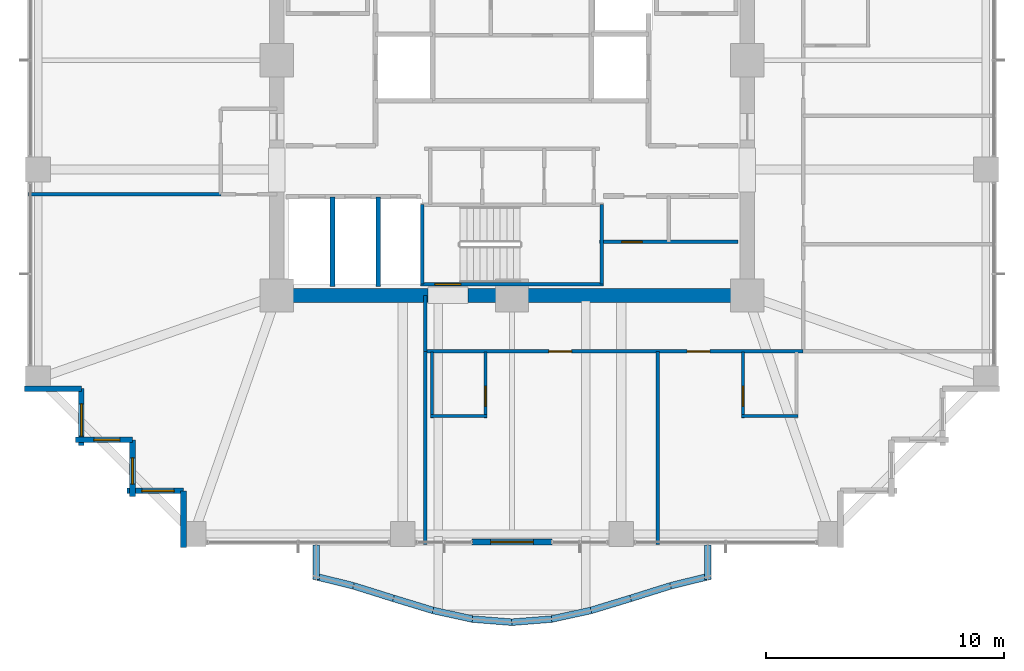
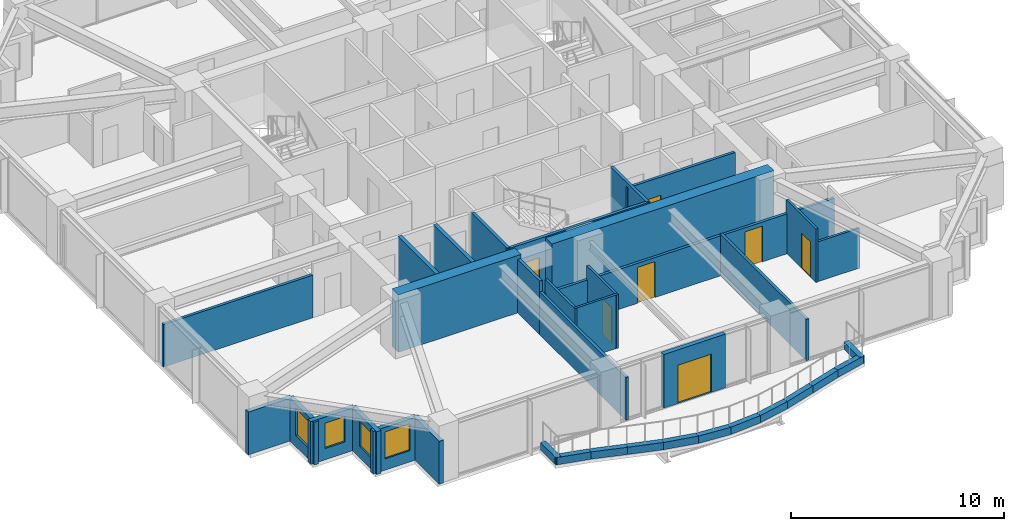
# One storey, part 32 of 38: 37 walls, 7 doors, 4 windows, 11 openings.
"""IFC4 building model written with IfcOpenShell, lengths in metres."""

from ifc_helpers import new_model, si_unit, direction, frame, frame_2d, origin, place, context, subcontext, project, spatial, rectangle, extrude, material, layer, layer_set, type_object, element, fill, save


model = new_model("IFC4")

# Units and contexts
model_context = context("Model", 3, precision=1e-05, world=origin(), true_north=direction((0.0, 1.0)))
body_context = subcontext(model_context, "Body", "Model", "MODEL_VIEW")
ifc_project = project(units=[si_unit("LENGTHUNIT", "METRE"), si_unit("AREAUNIT", "SQUARE_METRE"), si_unit("VOLUMEUNIT", "CUBIC_METRE"), si_unit("PLANEANGLEUNIT", "RADIAN"), si_unit("MASSUNIT", "GRAM", prefix="KILO")], contexts=[model_context])

# Site, building, storey
site_placement = place(None, origin())
site = spatial("IfcSite", under=ifc_project, at=site_placement, CompositionType="ELEMENT")
building_placement = place(site_placement, origin())
building = spatial("IfcBuilding", under=site, at=building_placement, Name="Kolvaren Belvedere", CompositionType="ELEMENT")
storey_placement = place(building_placement, frame((0.0, 0.0, 98.60009765625)))
storey = spatial("IfcBuildingStorey", under=building, at=storey_placement, Name="L28", CompositionType="ELEMENT", Elevation=98.60009765625)

# Walls
ifc_material_1 = material(Name="Concrete C60/75", Category="concrete")
ifc_layer_1 = layer(ifc_material_1, 0.60009765625)
ifc_layer_set_1 = layer_set([ifc_layer_1], Name="Concrete C60/75")
wall_type_1 = type_object("IfcWallType", Name="CW-CORE-600", PredefinedType="SHEAR", material=ifc_layer_set_1)
wall_1_placement = place(storey_placement, frame((10.199951171875, -9.89990234375, 0.0), z_axis=(0.0, 0.0, 1.0), x_axis=(-1.0, 0.0, 0.0)))
element("IfcWall", 1, at=wall_1_placement, inside=storey, type_object=wall_type_1, Name="L28 South Core Shear Wall 1", PredefinedType="SHEAR", context=body_context, shape_type="SweptSolid", body=[
    extrude(rectangle(XDim=12.06005859375, YDim=0.60009765625, at=frame_2d((6.030029296875, 0.0))), origin(), (0.0, 0.0, 1.0), 3.2998046875),
])
wall_2_placement = place(storey_placement, frame((-3.5400390625, -9.89990234375, 0.0), z_axis=(0.0, 0.0, 1.0), x_axis=(-1.0, 0.0, 0.0)))
element("IfcWall", 2, at=wall_2_placement, inside=storey, type_object=wall_type_1, Name="L28 South Core Shear Wall 2", PredefinedType="SHEAR", context=body_context, shape_type="SweptSolid", body=[
    extrude(rectangle(XDim=6.659912109375, YDim=0.60009765625, at=frame_2d((3.330078125, 0.0))), origin(), (0.0, 0.0, 1.0), 3.2998046875),
])

# Wall, opening, door
ifc_material_2 = material(Name="Concrete C50/60", Category="concrete")
ifc_layer_2 = layer(ifc_material_2, 0.159912109375)
ifc_layer_set_2 = layer_set([ifc_layer_2], Name="Concrete C50/60")
wall_type_2 = type_object("IfcWallType", Name="CW-STAIR-160", PredefinedType="SHEAR", material=ifc_layer_set_2)
wall_3_placement = place(storey_placement, frame((3.860107421875, -9.429931640625, 0.0), z_axis=(0.0, 0.0, 1.0), x_axis=(-1.0, 0.0, 0.0)))
wall_3 = element("IfcWall", 3, at=wall_3_placement, inside=storey, type_object=wall_type_2, Name="L28 Stair ST-3 South Shear Wall", PredefinedType="SHEAR", context=body_context, shape_type="SweptSolid", body=[
    extrude(rectangle(XDim=7.72021484375, YDim=0.159912109375, at=frame_2d((3.860107421875, 0.0))), origin(), (0.0, 0.0, 1.0), 3.2998046875),
])
opening_1_placement = place(wall_3_placement, frame((6.010009765625, 0.0, 0.0)))
opening_1 = element("IfcOpeningElement", 4, at=opening_1_placement, cuts=wall_3, Name="Opening D-FD90", PredefinedType="OPENING", context=body_context, shape_type="SweptSolid", body=[
    extrude(rectangle(XDim=1.10009765625, YDim=2.199951171875, at=frame_2d((0.550048828125, 1.10009765625))), frame((0.0, 0.08984375, 0.0), z_axis=(0.0, -1.0, 0.0), x_axis=(1.0, 0.0, 0.0)), (0.0, 0.0, 1.0), 0.179931640625),
])
ifc_material_3 = material(Name="Painted hollow stainless steel", Category="steel")
door_type_1 = type_object("IfcDoorType", Name="DR-FD90-1100", OperationType="NOTDEFINED", PredefinedType="DOOR", material=ifc_material_3)
door_1_placement = place(opening_1_placement, origin())
door_1 = element("IfcDoor", 5, at=door_1_placement, inside=storey, type_object=door_type_1, Name="L28 Stair ST-3 Exit Door", OperationType="SINGLE_SWING_RIGHT", OverallHeight=2.199951171875, OverallWidth=1.10009765625, PredefinedType="DOOR", context=body_context, shape_type="SweptSolid", body=[
    extrude(rectangle(XDim=1.10009765625, YDim=2.199951171875, at=frame_2d((0.550048828125, 1.10009765625))), frame((0.0, 0.02490234375, 0.0), z_axis=(0.0, -1.0, 0.0), x_axis=(1.0, 0.0, 0.0)), (0.0, 0.0, 1.0), 0.050048828125),
])
fill(opening_1, door_1)

# Walls
for number, where, z_axis, x_axis, name in (
    (6, (-3.780029296875, -9.429931640625, 0.0), (0.0, 0.0, 1.0), (0.0, 1.0, 0.0), "L28 Stair ST-3 West Shear Wall"),
    (7, (3.780029296875, -9.429931640625, 0.0), (0.0, 0.0, 1.0), (0.0, 1.0, 0.0), "L28 Stair ST-3 East Shear Wall"),
):
    element("IfcWall", number, at=place(storey_placement, frame(where, z_axis=z_axis, x_axis=x_axis)), inside=storey, type_object=wall_type_2, Name=name, PredefinedType="SHEAR", context=body_context, shape_type="SweptSolid", body=[
        extrude(rectangle(XDim=3.349853515625, YDim=0.159912109375, at=frame_2d((1.6748046875, 0.0))), origin(), (0.0, 0.0, 1.0), 3.2998046875),
    ])

# Wall, openings, doors
ifc_material_4 = material(Name="Gypsum fire-rated partition assembly", Category="gypsum")
ifc_layer_3 = layer(ifc_material_4, 0.14990234375)
ifc_layer_set_3 = layer_set([ifc_layer_3], Name="Gypsum fire-rated partition assembly")
wall_type_3 = type_object("IfcWallType", Name="WL-CORR-150", PredefinedType="PARTITIONING", material=ifc_layer_set_3)
wall_4_placement = place(storey_placement, frame((-3.64990234375, -12.260009765625, 0.0), z_axis=(0.0, 0.0, 1.0), x_axis=(1.0, 0.0, 0.0)))
wall_4 = element("IfcWall", 8, at=wall_4_placement, inside=storey, type_object=wall_type_3, Name="L28 South-East Corridor Wall", PredefinedType="PARTITIONING", context=body_context, shape_type="SweptSolid", body=[
    extrude(rectangle(XDim=15.909912109375, YDim=0.14990234375, at=frame_2d((7.955078125, 0.0))), origin(), (0.0, 0.0, 1.0), 2.2919921875),
])
opening_2_placement = place(wall_4_placement, frame((5.205078125, 0.0, 0.0)))
opening_2 = element("IfcOpeningElement", 9, at=opening_2_placement, cuts=wall_4, Name="Opening D-FD60", PredefinedType="OPENING", context=body_context, shape_type="SweptSolid", body=[
    extrude(rectangle(XDim=0.949951171875, YDim=2.06005859375, at=frame_2d((0.47509765625, 1.030029296875))), frame((0.0, 0.0849609375, 0.0), z_axis=(0.0, -1.0, 0.0), x_axis=(1.0, 0.0, 0.0)), (0.0, 0.0, 1.0), 0.169921875),
])
opening_3_placement = place(wall_4_placement, frame((11.02587890625, 0.0, 0.0)))
opening_3 = element("IfcOpeningElement", 10, at=opening_3_placement, cuts=wall_4, Name="Opening D-FD60", PredefinedType="OPENING", context=body_context, shape_type="SweptSolid", body=[
    extrude(rectangle(XDim=0.949951171875, YDim=2.06005859375, at=frame_2d((0.47509765625, 1.030029296875))), frame((0.0, 0.0849609375, 0.0), z_axis=(0.0, -1.0, 0.0), x_axis=(1.0, 0.0, 0.0)), (0.0, 0.0, 1.0), 0.169921875),
])
ifc_material_5 = material(Name="Acoustic white-oak fire door leaf", Category="timber")
door_type_2 = type_object("IfcDoorType", Name="DR-FD60-950", OperationType="NOTDEFINED", PredefinedType="DOOR", material=ifc_material_5)
door_2_placement = place(opening_2_placement, origin())
door_2 = element("IfcDoor", 11, at=door_2_placement, inside=storey, type_object=door_type_2, Name="L28 Botanical Hospitality Suite 2812 Entry Door", OperationType="SINGLE_SWING_LEFT", OverallHeight=2.06005859375, OverallWidth=0.949951171875, PredefinedType="DOOR", context=body_context, shape_type="SweptSolid", body=[
    extrude(rectangle(XDim=0.949951171875, YDim=2.06005859375, at=frame_2d((0.47509765625, 1.030029296875))), frame((0.0, 0.02490234375, 0.0), z_axis=(0.0, -1.0, 0.0), x_axis=(1.0, 0.0, 0.0)), (0.0, 0.0, 1.0), 0.050048828125),
])
fill(opening_2, door_2)
door_3_placement = place(opening_3_placement, origin())
door_3 = element("IfcDoor", 12, at=door_3_placement, inside=storey, type_object=door_type_2, Name="L28 King Guest Room 2813 Entry Door", OperationType="SINGLE_SWING_LEFT", OverallHeight=2.06005859375, OverallWidth=0.949951171875, PredefinedType="DOOR", context=body_context, shape_type="SweptSolid", body=[
    extrude(rectangle(XDim=0.949951171875, YDim=2.06005859375, at=frame_2d((0.47509765625, 1.030029296875))), frame((0.0, 0.02490234375, 0.0), z_axis=(0.0, -1.0, 0.0), x_axis=(1.0, 0.0, 0.0)), (0.0, 0.0, 1.0), 0.050048828125),
])
fill(opening_3, door_3)

# Wall
wall_5_placement = place(storey_placement, frame((-3.64990234375, -12.260009765625, 0.0), z_axis=(0.0, 0.0, 1.0), x_axis=(0.0, 1.0, 0.0)))
element("IfcWall", 13, at=wall_5_placement, inside=storey, type_object=wall_type_3, Name="L28 South Spur West Closure Wall", PredefinedType="PARTITIONING", context=body_context, shape_type="SweptSolid", body=[
    extrude(rectangle(XDim=2.360107421875, YDim=0.14990234375, at=frame_2d((1.18017578125, 0.0))), origin(), (0.0, 0.0, 1.0), 3.079833984375),
])

# Wall, opening, door
ifc_material_6 = material(Name="Insulated pale-metal facade wall assembly", Category="aluminium")
ifc_layer_4 = layer(ifc_material_6, 0.239990234375)
ifc_layer_set_4 = layer_set([ifc_layer_4], Name="Insulated pale-metal facade wall assembly")
wall_type_4 = type_object("IfcWallType", Name="WL-EXT-240", PredefinedType="STANDARD", material=ifc_layer_set_4)
wall_6_placement = place(storey_placement, frame((1.679931640625, -20.280029296875, 0.0), z_axis=(0.0, 0.0, 1.0), x_axis=(-1.0, 0.0, 0.0)))
wall_6 = element("IfcWall", 14, at=wall_6_placement, inside=storey, type_object=wall_type_4, Name="L28 South Terrace Portal Wall", PredefinedType="STANDARD", context=body_context, shape_type="SweptSolid", body=[
    extrude(rectangle(XDim=3.35986328125, YDim=0.239990234375, at=frame_2d((1.679931640625, 0.0))), origin(), (0.0, 0.0, 1.0), 3.079833984375),
])
opening_4_placement = place(wall_6_placement, frame((0.780029296875, 0.0, 0.0)))
opening_4 = element("IfcOpeningElement", 15, at=opening_4_placement, cuts=wall_6, Name="Opening DB-1800", PredefinedType="OPENING", context=body_context, shape_type="SweptSolid", body=[
    extrude(rectangle(XDim=1.800048828125, YDim=2.199951171875, at=frame_2d((0.89990234375, 1.10009765625))), frame((0.0, 0.1298828125, 0.0), z_axis=(0.0, -1.0, 0.0), x_axis=(1.0, 0.0, 0.0)), (0.0, 0.0, 1.0), 0.260009765625),
])
ifc_material_7 = material(Name="Thermally broken pale-metal aluminium & low-iron glass", Category="aluminium")
door_type_3 = type_object("IfcDoorType", Name="DR-BAL-1800", OperationType="DOUBLE_DOOR_SLIDING", PredefinedType="DOOR", material=ifc_material_7)
door_4_placement = place(opening_4_placement, origin())
door_4 = element("IfcDoor", 16, at=door_4_placement, inside=storey, type_object=door_type_3, Name="L28 South Planted Terrace Sliding Door", OperationType="DOUBLE_DOOR_SLIDING", OverallHeight=2.199951171875, OverallWidth=1.800048828125, PredefinedType="DOOR", context=body_context, shape_type="SweptSolid", body=[
    extrude(rectangle(XDim=1.800048828125, YDim=2.199951171875, at=frame_2d((0.89990234375, 1.10009765625))), frame((0.0, 0.02490234375, 0.0), z_axis=(0.0, -1.0, 0.0), x_axis=(1.0, 0.0, 0.0)), (0.0, 0.0, 1.0), 0.050048828125),
])
fill(opening_4, door_4)

# Wall
wall_7_placement = place(storey_placement, frame((-18.1298828125, -13.830078125, 0.0), z_axis=(0.0, 0.0, 1.0), x_axis=(-1.0, 0.0, 0.0)))
element("IfcWall", 17, at=wall_7_placement, inside=storey, type_object=wall_type_4, Name="L28 Serrated Corner Facade Wall 23", PredefinedType="STANDARD", context=body_context, shape_type="SweptSolid", body=[
    extrude(rectangle(XDim=2.39013671875, YDim=0.239990234375, at=frame_2d((1.195068359375, 0.0))), origin(), (0.0, 0.0, 1.0), 2.458984375),
])

# Wall, opening, window
wall_8_placement = place(storey_placement, frame((-18.1298828125, -16.219970703125, 0.0), z_axis=(0.0, 0.0, 1.0), x_axis=(0.0, 1.0, 0.0)))
wall_8 = element("IfcWall", 18, at=wall_8_placement, inside=storey, type_object=wall_type_4, Name="L28 Serrated Corner Facade Wall 24", PredefinedType="STANDARD", context=body_context, shape_type="SweptSolid", body=[
    extrude(rectangle(XDim=2.389892578125, YDim=0.239990234375, at=frame_2d((1.19482421875, 0.0))), origin(), (0.0, 0.0, 1.0), 2.458984375),
])
opening_5_placement = place(wall_8_placement, frame((0.39990234375, 0.0, 0.64990234375)))
opening_5 = element("IfcOpeningElement", 19, at=opening_5_placement, cuts=wall_8, Name="Opening W-1350", PredefinedType="OPENING", context=body_context, shape_type="SweptSolid", body=[
    extrude(rectangle(XDim=1.35009765625, YDim=1.550048828125, at=frame_2d((0.675048828125, 0.77490234375))), frame((0.0, 0.1298828125, 0.0), z_axis=(0.0, -1.0, 0.0), x_axis=(1.0, 0.0, 0.0)), (0.0, 0.0, 1.0), 0.260009765625),
])
ifc_material_8 = material(Name="Low-iron triple insulated glass", Category="glass")
window_type_1 = type_object("IfcWindowType", Name="WN-CORN-1350", PartitioningType="SINGLE_PANEL", PredefinedType="WINDOW", material=ifc_material_8)
window_1_placement = place(opening_5_placement, origin())
window_1 = element("IfcWindow", 20, at=window_1_placement, inside=storey, type_object=window_type_1, Name="L28 Serrated Corner Vision Window 24", OverallHeight=1.550048828125, OverallWidth=1.35009765625, PartitioningType="SINGLE_PANEL", PredefinedType="WINDOW", context=body_context, shape_type="SweptSolid", body=[
    extrude(rectangle(XDim=1.35009765625, YDim=1.550048828125, at=frame_2d((0.675048828125, 0.77490234375))), frame((0.0, 0.030029296875, 0.0), z_axis=(0.0, -1.0, 0.0), x_axis=(1.0, 0.0, 0.0)), (0.0, 0.0, 1.0), 0.06005859375),
])
fill(opening_5, window_1)

wall_9_placement = place(storey_placement, frame((-15.97998046875, -15.97998046875, 0.0), z_axis=(0.0, 0.0, 1.0), x_axis=(-1.0, 0.0, 0.0)))
wall_9 = element("IfcWall", 21, at=wall_9_placement, inside=storey, type_object=wall_type_4, Name="L28 Serrated Corner Facade Wall 25", PredefinedType="STANDARD", context=body_context, shape_type="SweptSolid", body=[
    extrude(rectangle(XDim=2.39013671875, YDim=0.239990234375, at=frame_2d((1.195068359375, 0.0))), origin(), (0.0, 0.0, 1.0), 2.458984375),
])
opening_6_placement = place(wall_9_placement, frame((0.52490234375, 0.0, 0.64990234375)))
opening_6 = element("IfcOpeningElement", 22, at=opening_6_placement, cuts=wall_9, Name="Opening W-1100", PredefinedType="OPENING", context=body_context, shape_type="SweptSolid", body=[
    extrude(rectangle(XDim=1.10009765625, YDim=1.449951171875, at=frame_2d((0.550048828125, 0.72509765625))), frame((0.0, 0.1298828125, 0.0), z_axis=(0.0, -1.0, 0.0), x_axis=(1.0, 0.0, 0.0)), (0.0, 0.0, 1.0), 0.260009765625),
])
ifc_material_9 = material(Name="Low-iron triple insulated glass", Category="glass")
window_type_2 = type_object("IfcWindowType", Name="WN-CORN-1100", PartitioningType="SINGLE_PANEL", PredefinedType="WINDOW", material=ifc_material_9)
window_2_placement = place(opening_6_placement, origin())
window_2 = element("IfcWindow", 23, at=window_2_placement, inside=storey, type_object=window_type_2, Name="L28 Serrated Corner Vision Window 25", OverallHeight=1.449951171875, OverallWidth=1.10009765625, PartitioningType="SINGLE_PANEL", PredefinedType="WINDOW", context=body_context, shape_type="SweptSolid", body=[
    extrude(rectangle(XDim=1.10009765625, YDim=1.449951171875, at=frame_2d((0.550048828125, 0.72509765625))), frame((0.0, 0.030029296875, 0.0), z_axis=(0.0, -1.0, 0.0), x_axis=(1.0, 0.0, 0.0)), (0.0, 0.0, 1.0), 0.06005859375),
])
fill(opening_6, window_2)

wall_10_placement = place(storey_placement, frame((-15.97998046875, -18.3701171875, 0.0), z_axis=(0.0, 0.0, 1.0), x_axis=(0.0, 1.0, 0.0)))
wall_10 = element("IfcWall", 24, at=wall_10_placement, inside=storey, type_object=wall_type_4, Name="L28 Serrated Corner Facade Wall 26", PredefinedType="STANDARD", context=body_context, shape_type="SweptSolid", body=[
    extrude(rectangle(XDim=2.39013671875, YDim=0.239990234375, at=frame_2d((1.195068359375, 0.0))), origin(), (0.0, 0.0, 1.0), 2.458984375),
])
opening_7_placement = place(wall_10_placement, frame((0.52490234375, 0.0, 0.64990234375)))
opening_7 = element("IfcOpeningElement", 25, at=opening_7_placement, cuts=wall_10, Name="Opening W-1100", PredefinedType="OPENING", context=body_context, shape_type="SweptSolid", body=[
    extrude(rectangle(XDim=1.10009765625, YDim=1.449951171875, at=frame_2d((0.550048828125, 0.72509765625))), frame((0.0, 0.1298828125, 0.0), z_axis=(0.0, -1.0, 0.0), x_axis=(1.0, 0.0, 0.0)), (0.0, 0.0, 1.0), 0.260009765625),
])
window_3_placement = place(opening_7_placement, origin())
window_3 = element("IfcWindow", 26, at=window_3_placement, inside=storey, type_object=window_type_2, Name="L28 Serrated Corner Vision Window 26", OverallHeight=1.449951171875, OverallWidth=1.10009765625, PartitioningType="SINGLE_PANEL", PredefinedType="WINDOW", context=body_context, shape_type="SweptSolid", body=[
    extrude(rectangle(XDim=1.10009765625, YDim=1.449951171875, at=frame_2d((0.550048828125, 0.72509765625))), frame((0.0, 0.030029296875, 0.0), z_axis=(0.0, -1.0, 0.0), x_axis=(1.0, 0.0, 0.0)), (0.0, 0.0, 1.0), 0.06005859375),
])
fill(opening_7, window_3)

wall_11_placement = place(storey_placement, frame((-13.830078125, -18.1298828125, 0.0), z_axis=(0.0, 0.0, 1.0), x_axis=(-1.0, 0.0, 0.0)))
wall_11 = element("IfcWall", 27, at=wall_11_placement, inside=storey, type_object=wall_type_4, Name="L28 Serrated Corner Facade Wall 27", PredefinedType="STANDARD", context=body_context, shape_type="SweptSolid", body=[
    extrude(rectangle(XDim=2.389892578125, YDim=0.239990234375, at=frame_2d((1.19482421875, 0.0))), origin(), (0.0, 0.0, 1.0), 2.458984375),
])
opening_8_placement = place(wall_11_placement, frame((0.39990234375, 0.0, 0.64990234375)))
opening_8 = element("IfcOpeningElement", 28, at=opening_8_placement, cuts=wall_11, Name="Opening W-1350", PredefinedType="OPENING", context=body_context, shape_type="SweptSolid", body=[
    extrude(rectangle(XDim=1.35009765625, YDim=1.550048828125, at=frame_2d((0.675048828125, 0.77490234375))), frame((0.0, 0.1298828125, 0.0), z_axis=(0.0, -1.0, 0.0), x_axis=(1.0, 0.0, 0.0)), (0.0, 0.0, 1.0), 0.260009765625),
])
window_4_placement = place(opening_8_placement, origin())
window_4 = element("IfcWindow", 29, at=window_4_placement, inside=storey, type_object=window_type_1, Name="L28 Serrated Corner Vision Window 27", OverallHeight=1.550048828125, OverallWidth=1.35009765625, PartitioningType="SINGLE_PANEL", PredefinedType="WINDOW", context=body_context, shape_type="SweptSolid", body=[
    extrude(rectangle(XDim=1.35009765625, YDim=1.550048828125, at=frame_2d((0.675048828125, 0.77490234375))), frame((0.0, 0.030029296875, 0.0), z_axis=(0.0, -1.0, 0.0), x_axis=(1.0, 0.0, 0.0)), (0.0, 0.0, 1.0), 0.06005859375),
])
fill(opening_8, window_4)

# Wall
wall_12_placement = place(storey_placement, frame((-13.830078125, -20.52001953125, 0.0), z_axis=(0.0, 0.0, 1.0), x_axis=(0.0, 1.0, 0.0)))
element("IfcWall", 30, at=wall_12_placement, inside=storey, type_object=wall_type_4, Name="L28 Serrated Corner Facade Wall 28", PredefinedType="STANDARD", context=body_context, shape_type="SweptSolid", body=[
    extrude(rectangle(XDim=2.39013671875, YDim=0.239990234375, at=frame_2d((1.195068359375, 0.0))), origin(), (0.0, 0.0, 1.0), 2.458984375),
])

# Wall, opening, door
ifc_material_10 = material(Name="Gypsum acoustic partition assembly", Category="gypsum")
ifc_layer_5 = layer(ifc_material_10, 0.14990234375)
ifc_layer_set_5 = layer_set([ifc_layer_5], Name="Gypsum acoustic partition assembly")
wall_type_5 = type_object("IfcWallType", Name="WL-PART-150", PredefinedType="PARTITIONING", material=ifc_layer_set_5)
wall_13_placement = place(storey_placement, frame((3.679931640625, -7.64990234375, 0.0), z_axis=(0.0, 0.0, 1.0), x_axis=(1.0, 0.0, 0.0)))
wall_13 = element("IfcWall", 31, at=wall_13_placement, inside=storey, type_object=wall_type_5, Name="L28 SE Core H-Divider", PredefinedType="PARTITIONING", context=body_context, shape_type="SweptSolid", body=[
    extrude(rectangle(XDim=5.840087890625, YDim=0.14990234375, at=frame_2d((2.919921875, 0.0))), origin(), (0.0, 0.0, 1.0), 3.079833984375),
])
opening_9_placement = place(wall_13_placement, frame((0.949951171875, 0.0, 0.0)))
opening_9 = element("IfcOpeningElement", 32, at=opening_9_placement, cuts=wall_13, Name="Opening D-INT85", PredefinedType="OPENING", context=body_context, shape_type="SweptSolid", body=[
    extrude(rectangle(XDim=0.85009765625, YDim=2.030029296875, at=frame_2d((0.425048828125, 1.01513671875))), frame((0.0, 0.0849609375, 0.0), z_axis=(0.0, -1.0, 0.0), x_axis=(1.0, 0.0, 0.0)), (0.0, 0.0, 1.0), 0.169921875),
])
ifc_material_11 = material(Name="Stained Pacific white oak", Category="timber")
door_type_4 = type_object("IfcDoorType", Name="DR-INT-850", OperationType="NOTDEFINED", PredefinedType="DOOR", material=ifc_material_11)
door_5_placement = place(opening_9_placement, origin())
door_5 = element("IfcDoor", 33, at=door_5_placement, inside=storey, type_object=door_type_4, Name="L28 SE Fibre Door", OperationType="SINGLE_SWING_RIGHT", OverallHeight=2.030029296875, OverallWidth=0.85009765625, PredefinedType="DOOR", context=body_context, shape_type="SweptSolid", body=[
    extrude(rectangle(XDim=0.85009765625, YDim=2.030029296875, at=frame_2d((0.425048828125, 1.01513671875))), frame((0.0, 0.02490234375, 0.0), z_axis=(0.0, -1.0, 0.0), x_axis=(1.0, 0.0, 0.0)), (0.0, 0.0, 1.0), 0.050048828125),
])
fill(opening_9, door_5)

# Walls
for number, where, z_axis, x_axis, name in (
    (34, (-20.3798828125, -5.64990234375, 0.0), (0.0, 0.0, 1.0), (1.0, 0.0, 0.0), "L28 West Mid Suite South Wall"),
    (35, (-3.64990234375, -20.3798828125, 0.0), (0.0, 0.0, 1.0), (0.0, 1.0, 0.0), "L28 South Mid-West Wall"),
):
    element("IfcWall", number, at=place(storey_placement, frame(where, z_axis=z_axis, x_axis=x_axis)), inside=storey, type_object=wall_type_5, Name=name, PredefinedType="PARTITIONING", context=body_context, shape_type="SweptSolid", body=[
        extrude(rectangle(XDim=8.119873046875, YDim=0.14990234375, at=frame_2d((4.06005859375, 0.0))), origin(), (0.0, 0.0, 1.0), 2.448974609375),
    ])
wall_14_placement = place(storey_placement, frame((6.139892578125, -20.3798828125, 0.0), z_axis=(0.0, 0.0, 1.0), x_axis=(0.0, 1.0, 0.0)))
element("IfcWall", 36, at=wall_14_placement, inside=storey, type_object=wall_type_5, Name="L28 South-East Suite Divider 1", PredefinedType="PARTITIONING", context=body_context, shape_type="SweptSolid", body=[
    extrude(rectangle(XDim=8.119873046875, YDim=0.14990234375, at=frame_2d((4.06005859375, 0.0))), origin(), (0.0, 0.0, 1.0), 2.368896484375),
])
ifc_material_12 = material(Name="Precast concrete C40/50", Category="concrete")
ifc_layer_6 = layer(ifc_material_12, 0.300048828125)
ifc_layer_set_6 = layer_set([ifc_layer_6], Name="Precast concrete C40/50")
wall_type_6 = type_object("IfcWallType", Name="WL-PLANTER-300", PredefinedType="PARAPET", material=ifc_layer_set_6)
wall_15_placement = place(storey_placement, frame((-8.36181640625, -21.7109375, -0.0400390625), z_axis=(0.0, 0.0, 1.0), x_axis=(0.970983132151, -0.239147981546, 0.0)))
element("IfcWall", 37, at=wall_15_placement, inside=storey, type_object=wall_type_6, Name="L28 Precast Structural Planter Wall BAL-S-1", PredefinedType="PARAPET", context=body_context, shape_type="SweptSolid", body=[
    extrude(rectangle(XDim=1.73046875, YDim=0.280029296875, at=frame_2d((0.865234375, 0.0))), origin(), (0.0, 0.0, 1.0), 0.419921875),
])
wall_16_placement = place(storey_placement, frame((-6.672119140625, -22.127685546875, -0.0400390625), z_axis=(0.0, 0.0, 1.0), x_axis=(0.954057149461, -0.299624691176, 0.0)))
element("IfcWall", 38, at=wall_16_placement, inside=storey, type_object=wall_type_6, Name="L28 Precast Structural Planter Wall BAL-S-2", PredefinedType="PARAPET", context=body_context, shape_type="SweptSolid", body=[
    extrude(rectangle(XDim=1.7607421875, YDim=0.280029296875, at=frame_2d((0.88037109375, 0.0))), origin(), (0.0, 0.0, 1.0), 0.419921875),
])
wall_17_placement = place(storey_placement, frame((-4.993408203125, -22.65478515625, -0.0400390625), z_axis=(0.0, 0.0, 1.0), x_axis=(0.956759718748, -0.290879426191, 0.0)))
element("IfcWall", 39, at=wall_17_placement, inside=storey, type_object=wall_type_6, Name="L28 Precast Structural Planter Wall BAL-S-3", PredefinedType="PARAPET", context=body_context, shape_type="SweptSolid", body=[
    extrude(rectangle(XDim=1.755859375, YDim=0.280029296875, at=frame_2d((0.8779296875, 0.0))), origin(), (0.0, 0.0, 1.0), 0.419921875),
])
wall_18_placement = place(storey_placement, frame((-3.32568359375, -23.162353515625, -0.0400390625), z_axis=(0.0, 0.0, 1.0), x_axis=(0.976876857632, -0.213802724545, 0.0)))
element("IfcWall", 40, at=wall_18_placement, inside=storey, type_object=wall_type_6, Name="L28 Precast Structural Planter Wall BAL-S-4", PredefinedType="PARAPET", context=body_context, shape_type="SweptSolid", body=[
    extrude(rectangle(XDim=1.7197265625, YDim=0.280029296875, at=frame_2d((0.85986328125, 0.0))), origin(), (0.0, 0.0, 1.0), 0.419921875),
])
for number, where, z_axis, x_axis, name in (
    (41, (-1.667236328125, -23.52685546875, -0.0400390625), (0.0, 0.0, 1.0), (0.99685522818, -0.079244268248, 0.0), "L28 Precast Structural Planter Wall BAL-S-5"),
    (42, (-0.0126953125, -23.660400390625, -0.0400390625), (0.0, 0.0, 1.0), (0.99685522818, 0.079244268248, 0.0), "L28 Precast Structural Planter Wall BAL-S-6"),
):
    element("IfcWall", number, at=place(storey_placement, frame(where, z_axis=z_axis, x_axis=x_axis)), inside=storey, type_object=wall_type_6, Name=name, PredefinedType="PARAPET", context=body_context, shape_type="SweptSolid", body=[
        extrude(rectangle(XDim=1.685302734375, YDim=0.280029296875, at=frame_2d((0.8427734375, 0.0))), origin(), (0.0, 0.0, 1.0), 0.419921875),
    ])
wall_19_placement = place(storey_placement, frame((1.645751953125, -23.530029296875, -0.0400390625), z_axis=(0.0, 0.0, 1.0), x_axis=(0.976876857632, 0.213802724545, 0.0)))
element("IfcWall", 43, at=wall_19_placement, inside=storey, type_object=wall_type_6, Name="L28 Precast Structural Planter Wall BAL-S-7", PredefinedType="PARAPET", context=body_context, shape_type="SweptSolid", body=[
    extrude(rectangle(XDim=1.7197265625, YDim=0.280029296875, at=frame_2d((0.85986328125, 0.0))), origin(), (0.0, 0.0, 1.0), 0.419921875),
])
wall_20_placement = place(storey_placement, frame((3.3134765625, -23.16552734375, -0.0400390625), z_axis=(0.0, 0.0, 1.0), x_axis=(0.956759718748, 0.290879426191, 0.0)))
element("IfcWall", 44, at=wall_20_placement, inside=storey, type_object=wall_type_6, Name="L28 Precast Structural Planter Wall BAL-S-8", PredefinedType="PARAPET", context=body_context, shape_type="SweptSolid", body=[
    extrude(rectangle(XDim=1.755859375, YDim=0.280029296875, at=frame_2d((0.8779296875, 0.0))), origin(), (0.0, 0.0, 1.0), 0.419921875),
])
wall_21_placement = place(storey_placement, frame((4.9921875, -22.6552734375, -0.0400390625), z_axis=(0.0, 0.0, 1.0), x_axis=(0.954057149461, 0.299624691176, 0.0)))
element("IfcWall", 45, at=wall_21_placement, inside=storey, type_object=wall_type_6, Name="L28 Precast Structural Planter Wall BAL-S-9", PredefinedType="PARAPET", context=body_context, shape_type="SweptSolid", body=[
    extrude(rectangle(XDim=1.7607421875, YDim=0.280029296875, at=frame_2d((0.88037109375, 0.0))), origin(), (0.0, 0.0, 1.0), 0.419921875),
])
wall_22_placement = place(storey_placement, frame((6.681640625, -22.124755859375, -0.0400390625), z_axis=(0.0, 0.0, 1.0), x_axis=(0.970983132151, 0.239147981546, 0.0)))
element("IfcWall", 46, at=wall_22_placement, inside=storey, type_object=wall_type_6, Name="L28 Precast Structural Planter Wall BAL-S-10", PredefinedType="PARAPET", context=body_context, shape_type="SweptSolid", body=[
    extrude(rectangle(XDim=1.73046875, YDim=0.280029296875, at=frame_2d((0.865234375, 0.0))), origin(), (0.0, 0.0, 1.0), 0.419921875),
])
for number, where, z_axis, x_axis, name in (
    (47, (8.239990234375, -21.8662109375, -0.0400390625), (0.0, 0.0, 1.0), (0.0, 1.0, 0.0), "L28 Precast Structural Planter Wall BAL-S-11"),
    (48, (-8.239990234375, -20.39990234375, -0.0400390625), (0.0, 0.0, 1.0), (0.0, -1.0, 0.0), "L28 Precast Structural Planter Wall BAL-S-22"),
):
    element("IfcWall", number, at=place(storey_placement, frame(where, z_axis=z_axis, x_axis=x_axis)), inside=storey, type_object=wall_type_6, Name=name, PredefinedType="PARAPET", context=body_context, shape_type="SweptSolid", body=[
        extrude(rectangle(XDim=1.46630859375, YDim=0.280029296875, at=frame_2d((0.733154296875, 0.0))), origin(), (0.0, 0.0, 1.0), 0.419921875),
    ])
ifc_material_13 = material(Name="Concrete C50/60", Category="concrete")
ifc_layer_7 = layer(ifc_material_13, 0.199951171875)
ifc_layer_set_7 = layer_set([ifc_layer_7], Name="Concrete C50/60")
wall_type_7 = type_object("IfcWallType", Name="WL-SHAFT-200", PredefinedType="SOLIDWALL", material=ifc_layer_set_7)
for number, where, z_axis, x_axis, name in (
    (49, (-7.56005859375, -9.52001953125, 0.0), (0.0, 0.0, 1.0), (0.0, 1.0, 0.0), "L28 Mid-Rise Hoistway Divider 1"),
    (50, (-5.6298828125, -9.52001953125, 0.0), (0.0, 0.0, 1.0), (0.0, 1.0, 0.0), "L28 Mid-Rise Hoistway Divider 2"),
):
    element("IfcWall", number, at=place(storey_placement, frame(where, z_axis=z_axis, x_axis=x_axis)), inside=storey, type_object=wall_type_7, Name=name, PredefinedType="SOLIDWALL", context=body_context, shape_type="SweptSolid", body=[
        extrude(rectangle(XDim=3.77001953125, YDim=0.199951171875, at=frame_2d((1.885009765625, 0.0))), origin(), (0.0, 0.0, 1.0), 3.079833984375),
    ])

# Wall, opening, door
ifc_material_14 = material(Name="Moisture-resistant gypsum partition", Category="gypsum")
ifc_layer_8 = layer(ifc_material_14, 0.125)
ifc_layer_set_8 = layer_set([ifc_layer_8], Name="Moisture-resistant gypsum partition")
wall_type_8 = type_object("IfcWallType", Name="WL-WET-125", PredefinedType="PARTITIONING", material=ifc_layer_set_8)
wall_23_placement = place(storey_placement, frame((-1.114013671875, -15.06494140625, 0.0), z_axis=(0.0, 0.0, 1.0), x_axis=(0.0, 1.0, 0.0)))
wall_23 = element("IfcWall", 51, at=wall_23_placement, inside=storey, type_object=wall_type_8, Name="L28 Bathroom Partition PW-L28-BTH-12-E", PredefinedType="PARTITIONING", context=body_context, shape_type="SweptSolid", body=[
    extrude(rectangle(XDim=2.7900390625, YDim=0.125, at=frame_2d((1.39501953125, 0.0))), origin(), (0.0, 0.0, 1.0), 3.079833984375),
])
opening_10_placement = place(wall_23_placement, frame((0.5, 0.0, 0.0)))
opening_10 = element("IfcOpeningElement", 52, at=opening_10_placement, cuts=wall_23, Name="Opening D-BTH85", PredefinedType="OPENING", context=body_context, shape_type="SweptSolid", body=[
    extrude(rectangle(XDim=0.85009765625, YDim=2.030029296875, at=frame_2d((0.425048828125, 1.01513671875))), frame((0.0, 0.072509765625, 0.0), z_axis=(0.0, -1.0, 0.0), x_axis=(1.0, 0.0, 0.0)), (0.0, 0.0, 1.0), 0.14501953125),
])
ifc_material_15 = material(Name="Moisture-sealed Pacific white oak", Category="timber")
door_type_5 = type_object("IfcDoorType", Name="DR-BATH-850", OperationType="NOTDEFINED", PredefinedType="DOOR", material=ifc_material_15)
door_6_placement = place(opening_10_placement, origin())
door_6 = element("IfcDoor", 53, at=door_6_placement, inside=storey, type_object=door_type_5, Name="L28 En-Suite Bathroom 2812 Door", OperationType="SINGLE_SWING_RIGHT", OverallHeight=2.030029296875, OverallWidth=0.85009765625, PredefinedType="DOOR", context=body_context, shape_type="SweptSolid", body=[
    extrude(rectangle(XDim=0.85009765625, YDim=2.030029296875, at=frame_2d((0.425048828125, 1.01513671875))), frame((0.0, 0.02490234375, 0.0), z_axis=(0.0, -1.0, 0.0), x_axis=(1.0, 0.0, 0.0)), (0.0, 0.0, 1.0), 0.050048828125),
])
fill(opening_10, door_6)

# Walls
wall_24_placement = place(storey_placement, frame((-3.424072265625, -14.985107421875, 0.0), z_axis=(0.0, 0.0, 1.0), x_axis=(1.0, 0.0, 0.0)))
element("IfcWall", 54, at=wall_24_placement, inside=storey, type_object=wall_type_8, Name="L28 Bathroom Partition PW-L28-BTH-12-H", PredefinedType="PARTITIONING", context=body_context, shape_type="SweptSolid", body=[
    extrude(rectangle(XDim=2.3701171875, YDim=0.125, at=frame_2d((1.18505859375, 0.0))), origin(), (0.0, 0.0, 1.0), 3.079833984375),
])
wall_25_placement = place(storey_placement, frame((-3.364013671875, -15.06494140625, 0.0), z_axis=(0.0, 0.0, 1.0), x_axis=(0.0, 1.0, 0.0)))
element("IfcWall", 55, at=wall_25_placement, inside=storey, type_object=wall_type_8, Name="L28 Bathroom Partition PW-L28-BTH-12-W", PredefinedType="PARTITIONING", context=body_context, shape_type="SweptSolid", body=[
    extrude(rectangle(XDim=2.7900390625, YDim=0.125, at=frame_2d((1.39501953125, 0.0))), origin(), (0.0, 0.0, 1.0), 3.079833984375),
])

# Wall, opening, door
wall_26_placement = place(storey_placement, frame((9.72412109375, -15.06494140625, 0.0), z_axis=(0.0, 0.0, 1.0), x_axis=(0.0, 1.0, 0.0)))
wall_26 = element("IfcWall", 56, at=wall_26_placement, inside=storey, type_object=wall_type_8, Name="L28 Bathroom Partition PW-L28-BTH-13-E", PredefinedType="PARTITIONING", context=body_context, shape_type="SweptSolid", body=[
    extrude(rectangle(XDim=2.7900390625, YDim=0.125, at=frame_2d((1.39501953125, 0.0))), origin(), (0.0, 0.0, 1.0), 3.079833984375),
])
opening_11_placement = place(wall_26_placement, frame((0.5, 0.0, 0.0)))
opening_11 = element("IfcOpeningElement", 57, at=opening_11_placement, cuts=wall_26, Name="Opening D-BTH85", PredefinedType="OPENING", context=body_context, shape_type="SweptSolid", body=[
    extrude(rectangle(XDim=0.85009765625, YDim=2.030029296875, at=frame_2d((0.425048828125, 1.01513671875))), frame((0.0, 0.072509765625, 0.0), z_axis=(0.0, -1.0, 0.0), x_axis=(1.0, 0.0, 0.0)), (0.0, 0.0, 1.0), 0.14501953125),
])
door_7_placement = place(opening_11_placement, origin())
door_7 = element("IfcDoor", 58, at=door_7_placement, inside=storey, type_object=door_type_5, Name="L28 En-Suite Bathroom 2813 Door", OperationType="SINGLE_SWING_RIGHT", OverallHeight=2.030029296875, OverallWidth=0.85009765625, PredefinedType="DOOR", context=body_context, shape_type="SweptSolid", body=[
    extrude(rectangle(XDim=0.85009765625, YDim=2.030029296875, at=frame_2d((0.425048828125, 1.01513671875))), frame((0.0, 0.02490234375, 0.0), z_axis=(0.0, -1.0, 0.0), x_axis=(1.0, 0.0, 0.0)), (0.0, 0.0, 1.0), 0.050048828125),
])
fill(opening_11, door_7)

# Wall
wall_27_placement = place(storey_placement, frame((9.6640625, -14.985107421875, 0.0), z_axis=(0.0, 0.0, 1.0), x_axis=(1.0, 0.0, 0.0)))
element("IfcWall", 59, at=wall_27_placement, inside=storey, type_object=wall_type_8, Name="L28 Bathroom Partition PW-L28-BTH-13-H", PredefinedType="PARTITIONING", context=body_context, shape_type="SweptSolid", body=[
    extrude(rectangle(XDim=2.369873046875, YDim=0.125, at=frame_2d((1.18505859375, 0.0))), origin(), (0.0, 0.0, 1.0), 2.2919921875),
])

save(model, "model.ifc")
